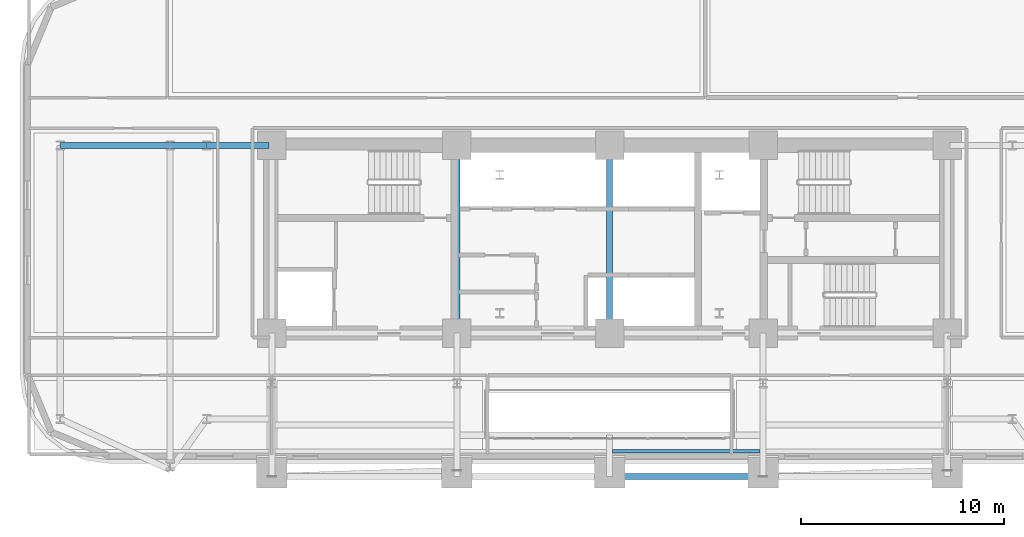
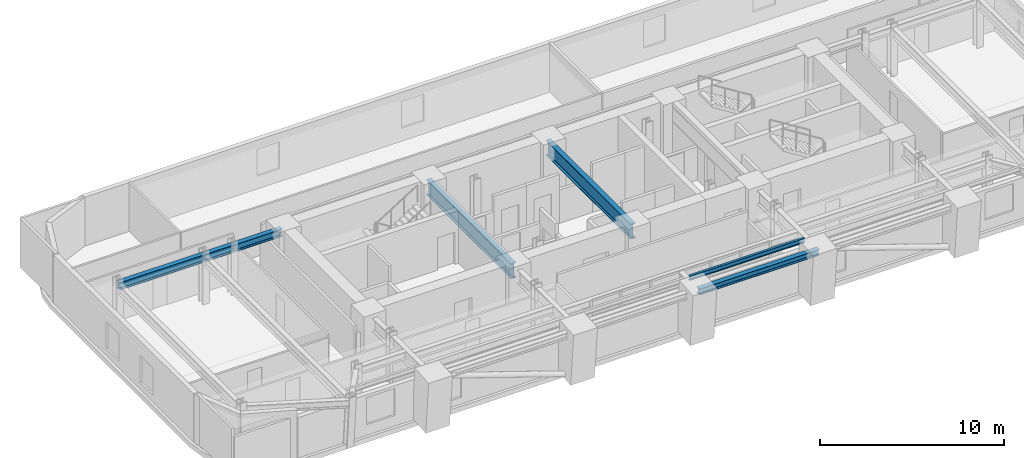
# One storey, part 4 of 15: 7 beams.
"""IFC4 building model written with IfcOpenShell, lengths in metres."""

import ifcopenshell
import ifcopenshell.guid

model = None  # the IFC model being written
_history = None  # IfcOwnerHistory: only IFC2X3 demands one
_inside = {}  # id of a spatial element -> (the spatial element, [elements in it])
_under = {}  # id of a project, library or spatial element -> (it, [spatial elements below it])
_declared = {}  # id of a project -> (the project, [libraries it declares])
_typed = {}  # id of a type object -> (the type object, [elements of that type])
_made_of = {}  # id of a material, layer set ... -> (it, [elements and type objects made of it])


def new_model(schema):
    """Start an empty IFC model of exactly this schema.

    Asked for "IFC4X3", IfcOpenShell would pick the latest addendum, in which some entities
    have other attributes; the version numbers below select the first issue.
    IFC2X3 requires an IfcOwnerHistory on every rooted entity: one is made here for all.
    """
    global model, _history
    if schema == "IFC4X3":
        model = ifcopenshell.file(schema_version=(4, 3, 0, 0))
    else:
        model = ifcopenshell.file(schema=schema)
    _inside.clear()
    _under.clear()
    _declared.clear()
    _typed.clear()
    _made_of.clear()
    _history = None
    if model.schema == "IFC2X3":
        org = make("IfcOrganization", Name="unknown")
        user = make(
            "IfcPersonAndOrganization",
            ThePerson=make("IfcPerson", FamilyName="unknown"),
            TheOrganization=org,
        )
        app = make(
            "IfcApplication",
            ApplicationDeveloper=org,
            Version="unknown",
            ApplicationFullName="unknown",
            ApplicationIdentifier="unknown",
        )
        _history = make(
            "IfcOwnerHistory",
            OwningUser=user,
            OwningApplication=app,
            ChangeAction="ADDED",
            CreationDate=0,
        )
    return model


def make(cls, **values):
    """One entity of the class cls with the attributes given. An attribute that is None is left unset."""
    return model.create_entity(
        cls, **{name: value for name, value in values.items() if value is not None}
    )


def rooted(cls, **values):
    """An entity with a GlobalId (a new one), such as an element, a storey or a relation."""
    return make(cls, GlobalId=ifcopenshell.guid.new(), OwnerHistory=_history, **values)


def si_unit(unit_type, name, prefix=None):
    """IfcSIUnit, for example si_unit("LENGTHUNIT", "METRE", prefix="MILLI")."""
    return make("IfcSIUnit", UnitType=unit_type, Prefix=prefix, Name=name)


def assignment(units):
    """IfcUnitAssignment: the units of a project."""
    return None if units is None else make("IfcUnitAssignment", Units=units)


def point(xyz):
    """IfcCartesianPoint."""
    return None if xyz is None else make("IfcCartesianPoint", Coordinates=xyz)


def direction(xyz):
    """IfcDirection."""
    return None if xyz is None else make("IfcDirection", DirectionRatios=xyz)


def frame(location, z_axis=None, x_axis=None):
    """IfcAxis2Placement3D, a coordinate frame: its origin and axes. An axis left out is left unset."""
    return make(
        "IfcAxis2Placement3D",
        Location=point(location),
        Axis=direction(z_axis),
        RefDirection=direction(x_axis),
    )


def frame_2d(location, x_axis=None):
    """IfcAxis2Placement2D, a coordinate frame in the plane: its origin and x axis."""
    return make(
        "IfcAxis2Placement2D", Location=point(location), RefDirection=direction(x_axis)
    )


def origin():
    """The frame at (0, 0, 0) with its axes left unset."""
    return frame((0.0, 0.0, 0.0))


def origin_2d():
    """The frame at (0, 0) in the plane with its x axis left unset."""
    return frame_2d((0.0, 0.0))


def place(relative_to, where):
    """IfcLocalPlacement: puts the frame where relative to a parent placement (None: the world)."""
    return make(
        "IfcLocalPlacement", PlacementRelTo=relative_to, RelativePlacement=where
    )


def context(
    kind, dimensions, precision=None, world=None, true_north=None, identifier=None
):
    """IfcGeometricRepresentationContext, for example the 3D "Model" context."""
    return make(
        "IfcGeometricRepresentationContext",
        ContextIdentifier=identifier,
        ContextType=kind,
        CoordinateSpaceDimension=dimensions,
        Precision=precision,
        WorldCoordinateSystem=world,
        TrueNorth=true_north,
    )


def subcontext(parent, identifier, kind, view, scale=None):
    """IfcGeometricRepresentationSubContext, for example "Body" below "Model"."""
    return make(
        "IfcGeometricRepresentationSubContext",
        ContextIdentifier=identifier,
        ContextType=kind,
        ParentContext=parent,
        TargetScale=scale,
        TargetView=view,
    )


def project(units=None, contexts=None):
    """IfcProject with its units and contexts."""
    return rooted(
        "IfcProject",
        Name="project",
        RepresentationContexts=contexts,
        UnitsInContext=assignment(units),
    )


def spatial(cls, under=None, at=None, **own):
    """A site, building, storey or space (cls), placed at a placement, below another one or the project."""
    s = rooted(cls, ObjectPlacement=at, **own)
    if under is not None:
        _under.setdefault(under.id(), (under, []))[1].append(s)
    return s


def profile(cls, at=None, kind="AREA", **sizes):
    """A parametric profile (cls). Its sizes go by their IFC names, for example OverallWidth=200.0."""
    return make(cls, ProfileType=kind, Position=at, **sizes)


def i_section(**sizes):
    """IfcIShapeProfileDef."""
    return profile("IfcIShapeProfileDef", **sizes)


def extrude(swept, where, along, depth):
    """IfcExtrudedAreaSolid: the profile swept, set in the frame where, extruded along a direction by depth."""
    return make(
        "IfcExtrudedAreaSolid",
        SweptArea=swept,
        Position=where,
        ExtrudedDirection=direction(along),
        Depth=depth,
    )


def shape(context_of_items, identifier, shape_type, items):
    """IfcShapeRepresentation: the items that make up one representation, for example the "Body"."""
    return make(
        "IfcShapeRepresentation",
        ContextOfItems=context_of_items,
        RepresentationIdentifier=identifier,
        RepresentationType=shape_type,
        Items=items,
    )


def material(Name=None, Category=None):
    """IfcMaterial."""
    return make("IfcMaterial", Name=Name, Category=Category)


def material_profile(
    of_material, cross_section, Name=None, Category=None, Priority=None
):
    """IfcMaterialProfile: a cross section and its material."""
    return make(
        "IfcMaterialProfile",
        Name=Name,
        Material=of_material,
        Profile=cross_section,
        Priority=Priority,
        Category=Category,
    )


def profile_set(profiles, Name=None, composite=None):
    """IfcMaterialProfileSet."""
    return make(
        "IfcMaterialProfileSet",
        Name=Name,
        MaterialProfiles=profiles,
        CompositeProfile=composite,
    )


def made_of(thing, what):
    """Note that an element or type object is made of a material, layer set ...; save() writes the relation."""
    if what is not None:
        _made_of.setdefault(what.id(), (what, []))[1].append(thing)
    return thing


def type_object(cls, material=None, **own):
    """A type object (cls), such as IfcWallType, which elements share."""
    return made_of(rooted(cls, **own), material)


def element(
    cls,
    number,
    at=None,
    inside=None,
    cuts=None,
    type_object=None,
    material=None,
    context=None,
    identifier="Body",
    shape_type=None,
    held_by="IfcProductDefinitionShape",
    body=None,
    shapes=None,
    **own,
):
    """One element of the class cls, such as IfcWall. Its Tag is "e" and its number.

    at: its placement. inside: the storey or other place that contains it. cuts: it is an
    opening in that element (IfcRelVoidsElement). A single representation is given by context,
    identifier, shape_type and body (its items); several are given by shapes. held_by: the class
    of the entity that holds the representations. save() writes the other relations.
    """
    e = rooted(cls, Tag="e%d" % number, ObjectPlacement=at, **own)
    if body is not None:
        shapes = [shape(context, identifier, shape_type, body)]
    if shapes is not None:
        e.Representation = make(held_by, Representations=shapes)
    if inside is not None:
        _inside.setdefault(inside.id(), (inside, []))[1].append(e)
    if cuts is not None:
        rooted(
            "IfcRelVoidsElement", RelatingBuildingElement=cuts, RelatedOpeningElement=e
        )
    if type_object is not None:
        _typed.setdefault(type_object.id(), (type_object, []))[1].append(e)
    return made_of(e, material)


def aggregate(whole, parts):
    """IfcRelAggregates: a whole, such as a stair, and the parts it consists of."""
    return rooted("IfcRelAggregates", RelatingObject=whole, RelatedObjects=parts)


def save(model, path):
    """Write the relations noted so far, then the file.

    IfcRelAggregates (storeys below a building ...), IfcRelContainedInSpatialStructure (elements
    in a storey), IfcRelDefinesByType, IfcRelAssociatesMaterial and IfcRelDeclares: one each for
    every whole, place, type object, material and project.
    """
    for whole, parts in _under.values():
        aggregate(whole, parts)
    for where, things in _inside.values():
        rooted(
            "IfcRelContainedInSpatialStructure",
            RelatedElements=things,
            RelatingStructure=where,
        )
    for kind, things in _typed.values():
        rooted("IfcRelDefinesByType", RelatedObjects=things, RelatingType=kind)
    for what, things in _made_of.values():
        rooted("IfcRelAssociatesMaterial", RelatedObjects=things, RelatingMaterial=what)
    for by, libraries in _declared.values():
        rooted("IfcRelDeclares", RelatingContext=by, RelatedDefinitions=libraries)
    model.write(path)


model = new_model("IFC4")

# Units and contexts
model_context = context("Model", 3, precision=1e-05, world=origin(), true_north=direction((0.0, 1.0)))
body_context = subcontext(model_context, "Body", "Model", "MODEL_VIEW")
ifc_project = project(units=[si_unit("LENGTHUNIT", "METRE"), si_unit("AREAUNIT", "SQUARE_METRE"), si_unit("VOLUMEUNIT", "CUBIC_METRE"), si_unit("PLANEANGLEUNIT", "RADIAN"), si_unit("MASSUNIT", "GRAM", prefix="KILO")], contexts=[model_context])

# Site, building, storey
site_placement = place(None, origin())
site = spatial("IfcSite", under=ifc_project, at=site_placement, CompositionType="ELEMENT")
building_placement = place(site_placement, origin())
building = spatial("IfcBuilding", under=site, at=building_placement, Name="Zarnavel Station Tower", CompositionType="ELEMENT")
storey_placement = place(building_placement, frame((0.0, 0.0, 57.0)))
storey = spatial("IfcBuildingStorey", under=building, at=storey_placement, Name="L15", CompositionType="ELEMENT", Elevation=57.0)

# Beams
ifc_material_1 = material(Name="Steel S355J2", Category="steel")
ifc_material_profile_1 = material_profile(ifc_material_1, i_section(OverallWidth=0.300048828125, OverallDepth=0.39990234375, WebThickness=0.013427734375, FlangeThickness=0.02392578125, FilletRadius=0.027099609375, at=origin_2d()), Name="HEB400")
ifc_profile_set_1 = profile_set([ifc_material_profile_1], Name="Steel S355J2")
beam_type_1 = type_object("IfcBeamType", Name="EB_HEB400", PredefinedType="SPANDREL", material=ifc_profile_set_1)
beam_1_placement = place(storey_placement, frame((28.800048828125, 20.76904296875, 3.0400390625), z_axis=(1.0, 0.0, 0.0), x_axis=(0.0, 1.0, 0.0)))
element("IfcBeam", 1, at=beam_1_placement, inside=storey, type_object=beam_type_1, Name="L15 South Raked Spandrel 3", PredefinedType="SPANDREL", context=body_context, shape_type="SweptSolid", body=[
    extrude(i_section(OverallWidth=0.300048828125, OverallDepth=0.39990234375, WebThickness=0.013427734375, FlangeThickness=0.02392578125, FilletRadius=0.027099609375, at=origin_2d()), origin(), (0.0, 0.0, 1.0), 7.550048828125),
])
ifc_material_2 = material(Name="Steel S355J2", Category="steel")
ifc_material_profile_2 = material_profile(ifc_material_2, i_section(OverallWidth=0.300048828125, OverallDepth=0.5, WebThickness=0.014404296875, FlangeThickness=0.028076171875, FilletRadius=0.027099609375, at=origin_2d()), Name="HEB500")
ifc_profile_set_2 = profile_set([ifc_material_profile_2], Name="Steel S355J2")
beam_type_2 = type_object("IfcBeamType", Name="FG_HEB500", PredefinedType="USERDEFINED", material=ifc_profile_set_2)
beam_2_placement = place(storey_placement, frame((1.800048828125, 37.050048828125, 2.989990234375), z_axis=(1.0, 0.0, 0.0), x_axis=(0.0, 1.0, 0.0)))
element("IfcBeam", 2, at=beam_2_placement, inside=storey, type_object=beam_type_2, Name="L15 West Wing North Tie 1", ObjectType="GIRDER", PredefinedType="USERDEFINED", context=body_context, shape_type="SweptSolid", body=[
    extrude(i_section(OverallWidth=0.300048828125, OverallDepth=0.5, WebThickness=0.014404296875, FlangeThickness=0.028076171875, FilletRadius=0.027099609375, at=origin_2d()), origin(), (0.0, 0.0, 1.0), 5.39990234375),
])
beam_3_placement = place(storey_placement, frame((7.199951171875, 37.050048828125, 2.989990234375), z_axis=(1.0, 0.0, 0.0), x_axis=(0.0, 1.0, 0.0)))
element("IfcBeam", 3, at=beam_3_placement, inside=storey, type_object=beam_type_2, Name="L15 West Wing North Tie 2", ObjectType="GIRDER", PredefinedType="USERDEFINED", context=body_context, shape_type="SweptSolid", body=[
    extrude(i_section(OverallWidth=0.300048828125, OverallDepth=0.5, WebThickness=0.014404296875, FlangeThickness=0.028076171875, FilletRadius=0.027099609375, at=origin_2d()), origin(), (0.0, 0.0, 1.0), 1.800048828125),
])
beam_4_placement = place(storey_placement, frame((9.0, 37.050048828125, 2.989990234375), z_axis=(1.0, 0.0, 0.0), x_axis=(0.0, 1.0, 0.0)))
element("IfcBeam", 4, at=beam_4_placement, inside=storey, type_object=beam_type_2, Name="L15 West Wing North Tie 3", ObjectType="GIRDER", PredefinedType="USERDEFINED", context=body_context, shape_type="SweptSolid", body=[
    extrude(i_section(OverallWidth=0.300048828125, OverallDepth=0.5, WebThickness=0.014404296875, FlangeThickness=0.028076171875, FilletRadius=0.027099609375, at=origin_2d()), origin(), (0.0, 0.0, 1.0), 3.054931640625),
])
ifc_material_3 = material(Name="Steel S355J2", Category="steel")
ifc_material_profile_3 = material_profile(ifc_material_3, i_section(OverallWidth=0.14990234375, OverallDepth=0.300048828125, WebThickness=0.007080078125, FlangeThickness=0.0107421875, FilletRadius=0.014892578125, at=origin_2d()), Name="IPE300")
ifc_profile_set_3 = profile_set([ifc_material_profile_3], Name="Steel S355J2")
beam_type_3 = type_object("IfcBeamType", Name="FJ_IPE300", PredefinedType="JOIST", material=ifc_profile_set_3)
beam_5_placement = place(storey_placement, frame((28.945068359375, 22.0126953125, 3.090087890625), z_axis=(1.0, 0.0, 0.0), x_axis=(0.0, 1.0, 0.0)))
element("IfcBeam", 5, at=beam_5_placement, inside=storey, type_object=beam_type_3, Name="L15 Mid-East Joist 1", PredefinedType="JOIST", context=body_context, shape_type="SweptSolid", body=[
    extrude(i_section(OverallWidth=0.14990234375, OverallDepth=0.300048828125, WebThickness=0.007080078125, FlangeThickness=0.0107421875, FilletRadius=0.014892578125, at=origin_2d()), origin(), (0.0, 0.0, 1.0), 7.260009765625),
])
ifc_material_4 = material(Name="Steel S460M", Category="steel")
ifc_material_profile_4 = material_profile(ifc_material_4, i_section(OverallWidth=0.302001953125, OverallDepth=1.008056640625, WebThickness=0.02099609375, FlangeThickness=0.0400390625, FilletRadius=0.030029296875, at=origin_2d()), Name="HEM1000")
ifc_profile_set_4 = profile_set([ifc_material_profile_4], Name="Steel S460M")
beam_type_4 = type_object("IfcBeamType", Name="TG_HEM1000", PredefinedType="USERDEFINED", material=ifc_profile_set_4)
for number, where, z_axis, x_axis, name in (
    (6, (21.300048828125, 27.820068359375, 2.736083984375), (0.0, 1.0, 0.0), (-1.0, 0.0, 0.0), "L15 Core Spine Coupling Girder 2"),
    (7, (28.800048828125, 27.820068359375, 2.736083984375), (0.0, 1.0, 0.0), (-1.0, 0.0, 0.0), "L15 Core Spine Coupling Girder 3"),
):
    element("IfcBeam", number, at=place(storey_placement, frame(where, z_axis=z_axis, x_axis=x_axis)), inside=storey, type_object=beam_type_4, Name=name, ObjectType="GIRDER", PredefinedType="USERDEFINED", context=body_context, shape_type="SweptSolid", body=[
        extrude(i_section(OverallWidth=0.302001953125, OverallDepth=1.008056640625, WebThickness=0.02099609375, FlangeThickness=0.0400390625, FilletRadius=0.030029296875, at=origin_2d()), origin(), (0.0, 0.0, 1.0), 9.22998046875),
    ])

save(model, "model.ifc")
